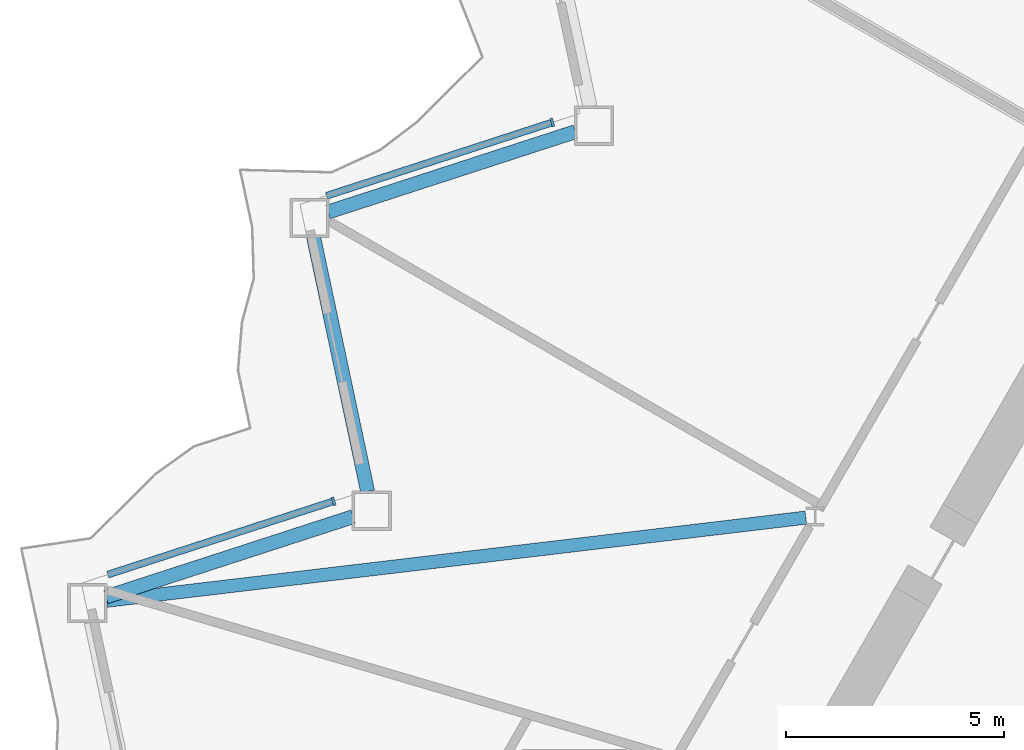
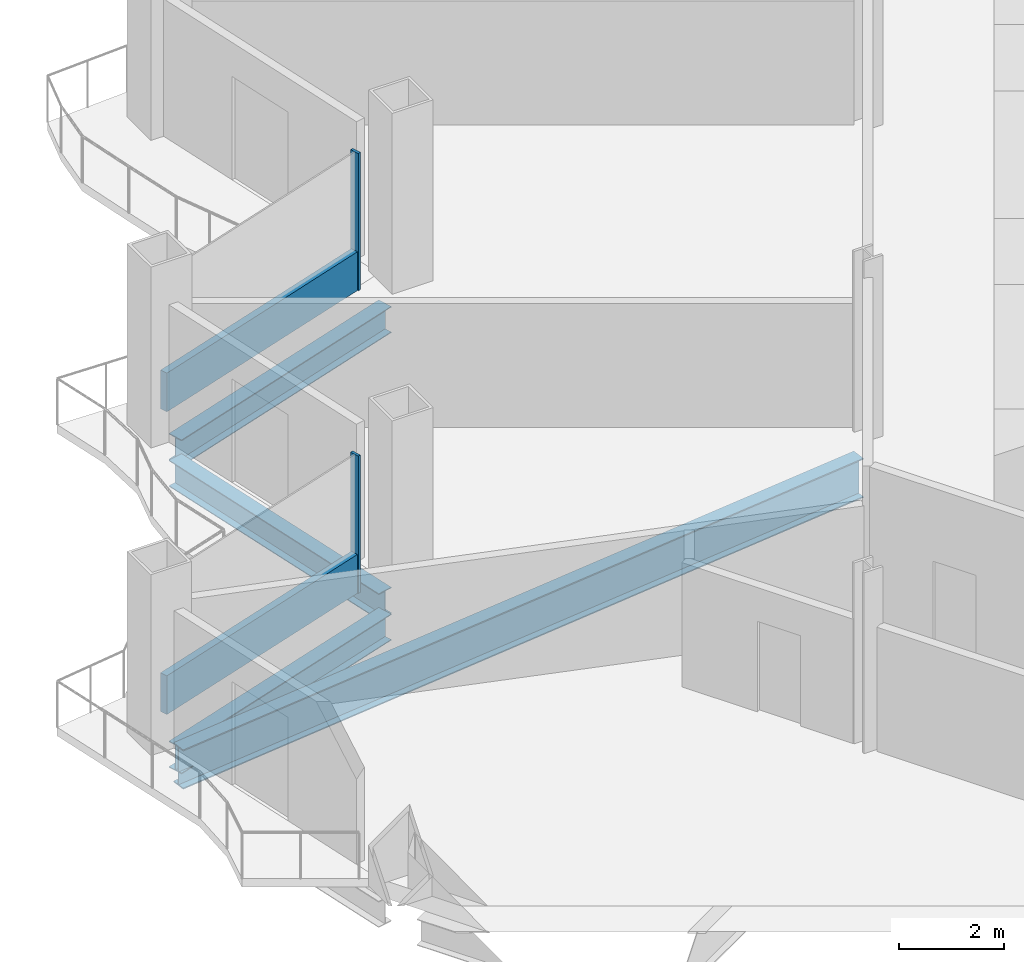
# One storey, part 4 of 21: 4 beams, 4 members, 2 elements without a shape of their own.
"""IFC4 building model written with IfcOpenShell, lengths in metres."""

from ifc_helpers import new_model, si_unit, direction, frame, origin, origin_2d, place, context, subcontext, project, spatial, rectangle, i_section, extrude, material, layer, layer_set, material_profile, profile_set, type_object, element, aggregate, save


model = new_model("IFC4")

# Units and contexts
model_context = context("Model", 3, precision=1e-05, world=origin(), true_north=direction((0.0, 1.0)))
body_context = subcontext(model_context, "Body", "Model", "MODEL_VIEW")
ifc_project = project(units=[si_unit("LENGTHUNIT", "METRE"), si_unit("AREAUNIT", "SQUARE_METRE"), si_unit("VOLUMEUNIT", "CUBIC_METRE"), si_unit("PLANEANGLEUNIT", "RADIAN"), si_unit("MASSUNIT", "GRAM", prefix="KILO")], contexts=[model_context])

# Site, building, storey
site_placement = place(None, origin())
site = spatial("IfcSite", under=ifc_project, at=site_placement, CompositionType="ELEMENT")
building_placement = place(site_placement, origin())
building = spatial("IfcBuilding", under=site, at=building_placement, Name="Cormorant Prow Tower", CompositionType="ELEMENT")
storey_placement = place(building_placement, frame((0.0, 0.0, 116.39990234375)))
storey = spatial("IfcBuildingStorey", under=building, at=storey_placement, Name="L24", CompositionType="ELEMENT", Elevation=116.39990234375)

# Curtain wall, member
ifc_material_1 = material(Name="Aluminium 6063-T6", Category="aluminium")
ifc_layer = layer(ifc_material_1, 0.199951171875)
ifc_layer_set = layer_set([ifc_layer], Name="Aluminium 6063-T6")
curtain_wall_type = type_object("IfcCurtainWallType", Name="Office unitised curtain wall 200", PredefinedType="NOTDEFINED", material=ifc_layer_set)
curtain_wall_1_placement = place(storey_placement, origin())
curtain_wall_1 = element("IfcCurtainWall", 1, at=curtain_wall_1_placement, inside=storey, type_object=curtain_wall_type, Name="Office curtain wall WNW06", PredefinedType="NOTDEFINED")
ifc_material_2 = material(Name="Aluminium 6063-T6", Category="aluminium")
ifc_material_profile_1 = material_profile(ifc_material_2, rectangle(XDim=0.199951171875, YDim=0.06005859375, at=origin_2d()), Name="Office mullion 60x200")
ifc_profile_set_1 = profile_set([ifc_material_profile_1], Name="Aluminium 6063-T6")
member_type_1 = type_object("IfcMemberType", Name="Office mullion 60x200", PredefinedType="MULLION", material=ifc_profile_set_1)
member_1_placement = place(storey_placement, frame((-21.524169921875, 6.061279296875, 0.0), z_axis=(0.0, 0.0, 1.0), x_axis=(0.309016891394, -0.951056549756, 0.0)))
member_1 = element("IfcMember", 2, at=member_1_placement, type_object=member_type_1, Name="Office mullion WNW06", PredefinedType="MULLION", context=body_context, shape_type="SweptSolid", body=[
    extrude(rectangle(XDim=0.199951171875, YDim=0.06005859375, at=origin_2d()), origin(), (0.0, 0.0, 1.0), 3.18896484375),
])

curtain_wall_2_placement = place(storey_placement, origin())
curtain_wall_2 = element("IfcCurtainWall", 3, at=curtain_wall_2_placement, inside=storey, type_object=curtain_wall_type, Name="Office curtain wall WNW08", PredefinedType="NOTDEFINED")
member_2_placement = place(storey_placement, frame((-26.542236328125, -2.63037109375, 0.0), z_axis=(0.0, 0.0, 1.0), x_axis=(0.309017025349, -0.951056506231, 0.0)))
member_2 = element("IfcMember", 4, at=member_2_placement, type_object=member_type_1, Name="Office mullion WNW08", PredefinedType="MULLION", context=body_context, shape_type="SweptSolid", body=[
    extrude(rectangle(XDim=0.199951171875, YDim=0.06005859375, at=origin_2d()), origin(), (0.0, 0.0, 1.0), 3.18896484375),
])

# Member
ifc_material_3 = material(Name="Terracotta", Category="masonry")
ifc_material_profile_2 = material_profile(ifc_material_3, rectangle(XDim=0.159912109375, YDim=0.89990234375, at=origin_2d()), Name="Office terracotta spandrel rail 160x900")
ifc_profile_set_2 = profile_set([ifc_material_profile_2], Name="Terracotta")
member_type_2 = type_object("IfcMemberType", Name="Office terracotta spandrel rail 160x900", PredefinedType="USERDEFINED", material=ifc_profile_set_2)
member_3_placement = place(storey_placement, frame((-21.552734375, 6.052001953125, 0.4501953125), z_axis=(-0.951052272116, -0.30903005631, 0.0), x_axis=(0.30903005631, -0.951052272116, 0.0)))
member_3 = element("IfcMember", 5, at=member_3_placement, type_object=member_type_2, Name="Office spandrel rail WNW06", ObjectType="TRANSOM", PredefinedType="USERDEFINED", context=body_context, shape_type="SweptSolid", body=[
    extrude(rectangle(XDim=0.159912109375, YDim=0.89990234375, at=origin_2d()), origin(), (0.0, 0.0, 1.0), 5.42041015625),
])

aggregate(curtain_wall_1, [member_1, member_3])

member_4_placement = place(storey_placement, frame((-26.57080078125, -2.6396484375, 0.4501953125), z_axis=(-0.951052272116, -0.30903005631, 0.0), x_axis=(0.30903005631, -0.951052272116, 0.0)))
member_4 = element("IfcMember", 6, at=member_4_placement, type_object=member_type_2, Name="Office spandrel rail WNW08", ObjectType="TRANSOM", PredefinedType="USERDEFINED", context=body_context, shape_type="SweptSolid", body=[
    extrude(rectangle(XDim=0.159912109375, YDim=0.89990234375, at=origin_2d()), origin(), (0.0, 0.0, 1.0), 5.42041015625),
])

aggregate(curtain_wall_2, [member_2, member_4])

# Beams
ifc_material_4 = material(Name="Structural steel ASTM A992 Gr 50", Category="steel")
ifc_material_profile_3 = material_profile(ifc_material_4, i_section(OverallWidth=0.3046875, OverallDepth=0.914794921875, WebThickness=0.0166015625, FlangeThickness=0.02587890625, at=origin_2d()), Name="W36x160")
ifc_profile_set_3 = profile_set([ifc_material_profile_3], Name="Structural steel ASTM A992 Gr 50")
beam_type_1 = type_object("IfcBeamType", Name="Radial floor beam W36x160", PredefinedType="BEAM", material=ifc_profile_set_3)
beam_1_placement = place(storey_placement, frame((-15.70849609375, -3.00732421875, -0.857177734375), z_axis=(-0.993009167646, -0.118037252474, 0.0), x_axis=(0.118037252474, -0.993009167646, 0.0)))
element("IfcBeam", 7, at=beam_1_placement, inside=storey, type_object=beam_type_1, Name="Radial floor beam FB1 4 L24", PredefinedType="BEAM", context=body_context, shape_type="SweptSolid", body=[
    extrude(i_section(OverallWidth=0.3046875, OverallDepth=0.914794921875, WebThickness=0.0166015625, FlangeThickness=0.02587890625, at=origin_2d()), origin(), (0.0, 0.0, 1.0), 16.15380859375),
])
ifc_material_5 = material(Name="Structural steel ASTM A992 Gr 50", Category="steel")
ifc_material_profile_4 = material_profile(ifc_material_5, i_section(OverallWidth=0.32373046875, OverallDepth=0.611083984375, WebThickness=0.0126953125, FlangeThickness=0.01904296875, at=origin_2d()), Name="W24x104")
ifc_profile_set_4 = profile_set([ifc_material_profile_4], Name="Structural steel ASTM A992 Gr 50")
beam_type_2 = type_object("IfcBeamType", Name="Spandrel beam W24x104", PredefinedType="SPANDREL", material=ifc_profile_set_4)
beam_2_placement = place(storey_placement, frame((-20.99755859375, 5.847900390625, -0.70556640625), z_axis=(-0.951055430656, -0.309020335608, 0.0), x_axis=(0.309020335608, -0.951055430656, 0.0)))
element("IfcBeam", 8, at=beam_2_placement, inside=storey, type_object=beam_type_2, Name="Spandrel beam SB1 WNW06-WNW07 L24", PredefinedType="SPANDREL", context=body_context, shape_type="SweptSolid", body=[
    extrude(i_section(OverallWidth=0.32373046875, OverallDepth=0.611083984375, WebThickness=0.0126953125, FlangeThickness=0.01904296875, at=origin_2d()), origin(), (0.0, 0.0, 1.0), 5.96240234375),
])
for number, where, z_axis, x_axis, name in (
    (9, (-27.002685546875, 3.426025390625, -0.70556640625), (0.207920947907, -0.978145633033, 0.0), (0.978145633033, 0.207920947907, 0.0), "Spandrel beam SB1 WNW07-WNW08 L24"),
    (10, (-26.097412109375, -2.985595703125, -0.70556640625), (-0.951059340519, -0.309008302174, 0.0), (0.309008302174, -0.951059340519, 0.0), "Spandrel beam SB1 WNW08-WNW09 L24"),
):
    element("IfcBeam", number, at=place(storey_placement, frame(where, z_axis=z_axis, x_axis=x_axis)), inside=storey, type_object=beam_type_2, Name=name, PredefinedType="SPANDREL", context=body_context, shape_type="SweptSolid", body=[
        extrude(i_section(OverallWidth=0.32373046875, OverallDepth=0.611083984375, WebThickness=0.0126953125, FlangeThickness=0.01904296875, at=origin_2d()), origin(), (0.0, 0.0, 1.0), 5.962646484375),
    ])

save(model, "model.ifc")
